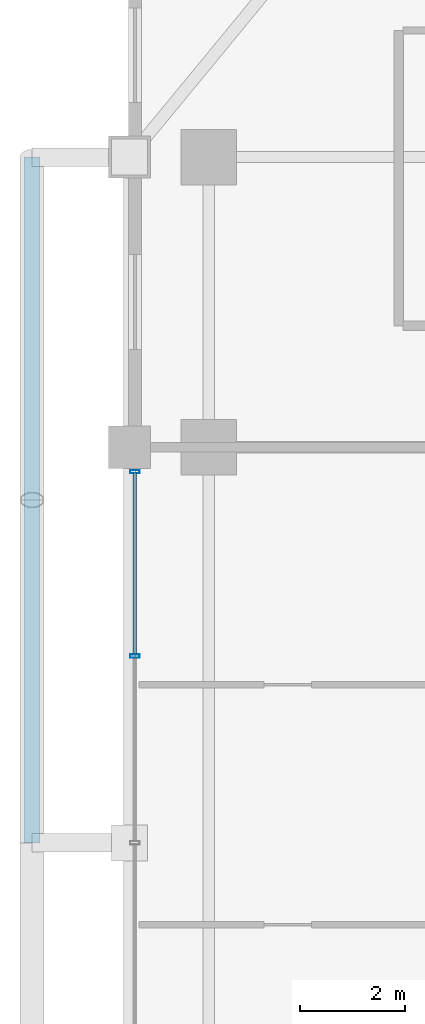
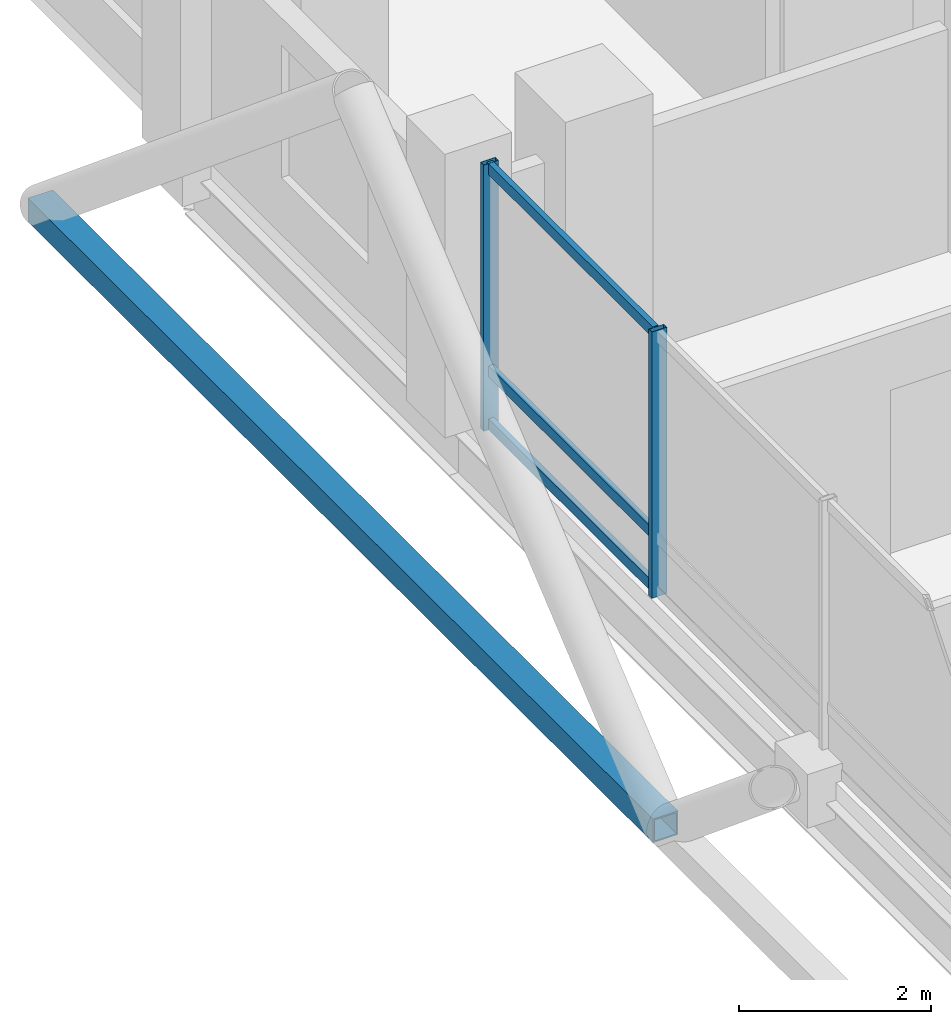
# One storey, part 9 of 26: 6 members, 1 element without a shape of its own.
"""IFC4 building model written with IfcOpenShell, lengths in metres."""

from ifc_helpers import new_model, si_unit, direction, frame, origin, origin_2d, place, context, subcontext, project, spatial, hollow_rectangle, extrude, material, layer, layer_set, material_profile, profile_set, type_object, element, aggregate, save


model = new_model("IFC4")

# Units and contexts
model_context = context("Model", 3, precision=1e-05, world=origin(), true_north=direction((0.0, 1.0)))
body_context = subcontext(model_context, "Body", "Model", "MODEL_VIEW")
ifc_project = project(units=[si_unit("LENGTHUNIT", "METRE"), si_unit("AREAUNIT", "SQUARE_METRE"), si_unit("VOLUMEUNIT", "CUBIC_METRE"), si_unit("PLANEANGLEUNIT", "RADIAN"), si_unit("MASSUNIT", "GRAM", prefix="KILO")], contexts=[model_context])

# Site, building, storey
site_placement = place(None, origin())
site = spatial("IfcSite", under=ifc_project, at=site_placement, CompositionType="ELEMENT")
building_placement = place(site_placement, origin())
building = spatial("IfcBuilding", under=site, at=building_placement, Name="Barlavira Tower and Art Museum", CompositionType="ELEMENT")
storey_placement = place(building_placement, frame((0.0, 0.0, 187.199951171875)))
storey = spatial("IfcBuildingStorey", under=building, at=storey_placement, Name="L48", CompositionType="ELEMENT", Elevation=187.199951171875)

# Curtain wall, members
ifc_material_1 = material(Name="Low-iron coastal laminated glass", Category="glass")
ifc_layer = layer(ifc_material_1, 0.199951171875, Name="Low-iron coastal laminated glass")
ifc_layer_set = layer_set([ifc_layer], Name="Low-iron coastal laminated glass")
curtain_wall_type = type_object("IfcCurtainWallType", Name="Pale-Metal Unitised Curtain Wall Zone 3", PredefinedType="NOTDEFINED", material=ifc_layer_set)
curtain_wall_placement = place(storey_placement, origin())
curtain_wall = element("IfcCurtainWall", 1, at=curtain_wall_placement, inside=storey, type_object=curtain_wall_type, Name="L48 Curtain Wall CW3-L48-W-B3", PredefinedType="NOTDEFINED")
ifc_material_2 = material(Name="Pale anodised aluminium", Category="aluminium")
ifc_material_profile_1 = material_profile(ifc_material_2, hollow_rectangle(XDim=0.06494140625, YDim=0.179931640625, WallThickness=0.00390625, at=origin_2d()), Name="ALU-MULL 65x180x4")
ifc_profile_set_1 = profile_set([ifc_material_profile_1], Name="Pale anodised aluminium")
member_type_1 = type_object("IfcMemberType", Name="Curtain Wall Pale-Metal Mullion 65x180", PredefinedType="MULLION", material=ifc_profile_set_1)
member_1_placement = place(storey_placement, frame((-18.39990234375, 7.034912109375, 0.0), z_axis=(0.0, 0.0, 1.0), x_axis=(0.0, -1.0, 0.0)))
member_1 = element("IfcMember", 2, at=member_1_placement, type_object=member_type_1, Name="CW3-L48-W-B3 Mullion 0", PredefinedType="MULLION", context=body_context, shape_type="SweptSolid", body=[
    extrude(hollow_rectangle(XDim=0.06494140625, YDim=0.179931640625, WallThickness=0.00390625, at=origin_2d()), origin(), (0.0, 0.0, 1.0), 3.380126953125),
])
member_2_placement = place(storey_placement, frame((-18.39990234375, 3.5400390625, 0.0), z_axis=(0.0, 0.0, 1.0), x_axis=(0.0, -1.0, 0.0)))
member_2 = element("IfcMember", 3, at=member_2_placement, type_object=member_type_1, Name="CW3-L48-W-B3 Mullion 1", PredefinedType="MULLION", context=body_context, shape_type="SweptSolid", body=[
    extrude(hollow_rectangle(XDim=0.06494140625, YDim=0.179931640625, WallThickness=0.00390625, at=origin_2d()), origin(), (0.0, 0.0, 1.0), 3.380126953125),
])
ifc_material_profile_2 = material_profile(ifc_material_2, hollow_rectangle(XDim=0.06494140625, YDim=0.139892578125, WallThickness=0.00390625, at=origin_2d()), Name="ALU-TRAN 65x140x4")
ifc_profile_set_2 = profile_set([ifc_material_profile_2], Name="Pale anodised aluminium")
member_type_2 = type_object("IfcMemberType", Name="Curtain Wall Pale-Metal Transom 65x140", PredefinedType="USERDEFINED", material=ifc_profile_set_2)
member_3_placement = place(storey_placement, frame((-18.39990234375, 7.034912109375, 0.070068359375), z_axis=(0.0, -1.0, 0.0), x_axis=(1.0, 0.0, 0.0)))
member_3 = element("IfcMember", 4, at=member_3_placement, type_object=member_type_2, Name="CW3-L48-W-B3 Transom 0.1", ObjectType="TRANSOM", PredefinedType="USERDEFINED", context=body_context, shape_type="SweptSolid", body=[
    extrude(hollow_rectangle(XDim=0.06494140625, YDim=0.139892578125, WallThickness=0.00390625, at=origin_2d()), origin(), (0.0, 0.0, 1.0), 3.449951171875),
])
member_4_placement = place(storey_placement, frame((-18.39990234375, 7.034912109375, 0.744140625), z_axis=(0.0, -1.0, 0.0), x_axis=(1.0, 0.0, 0.0)))
member_4 = element("IfcMember", 5, at=member_4_placement, type_object=member_type_2, Name="CW3-L48-W-B3 Transom 0.2", ObjectType="TRANSOM", PredefinedType="USERDEFINED", context=body_context, shape_type="SweptSolid", body=[
    extrude(hollow_rectangle(XDim=0.06494140625, YDim=0.139892578125, WallThickness=0.00390625, at=origin_2d()), origin(), (0.0, 0.0, 1.0), 3.449951171875),
])
member_5_placement = place(storey_placement, frame((-18.39990234375, 7.034912109375, 3.31005859375), z_axis=(0.0, -1.0, 0.0), x_axis=(1.0, 0.0, 0.0)))
member_5 = element("IfcMember", 6, at=member_5_placement, type_object=member_type_2, Name="CW3-L48-W-B3 Transom 0.3", ObjectType="TRANSOM", PredefinedType="USERDEFINED", context=body_context, shape_type="SweptSolid", body=[
    extrude(hollow_rectangle(XDim=0.06494140625, YDim=0.139892578125, WallThickness=0.00390625, at=origin_2d()), origin(), (0.0, 0.0, 1.0), 3.449951171875),
])
aggregate(curtain_wall, [member_1, member_2, member_3, member_4, member_5])

# Member
ifc_material_3 = material(Name="Steel S355", Category="steel")
ifc_material_profile_3 = material_profile(ifc_material_3, hollow_rectangle(XDim=0.300048828125, YDim=0.300048828125, WallThickness=0.01611328125, at=origin_2d()), Name="SHS 300x300x16.0")
ifc_profile_set_3 = profile_set([ifc_material_profile_3], Name="Steel S355")
member_type_3 = type_object("IfcMemberType", Name="Pale-Metal Upper Ring Strut SHS 300x300x16 Steel S355", PredefinedType="STRUT", material=ifc_profile_set_3)
member_6_placement = place(storey_placement, frame((-20.35009765625, 0.0, -0.119873046875), z_axis=(0.0, 1.0, 0.0), x_axis=(-1.0, 0.0, 0.0)))
element("IfcMember", 7, at=member_6_placement, inside=storey, type_object=member_type_3, Name="L48 Exoskeleton Ring Strut W", PredefinedType="STRUT", context=body_context, shape_type="SweptSolid", body=[
    extrude(hollow_rectangle(XDim=0.300048828125, YDim=0.300048828125, WallThickness=0.01611328125, at=origin_2d()), origin(), (0.0, 0.0, 1.0), 13.0),
])

save(model, "model.ifc")
